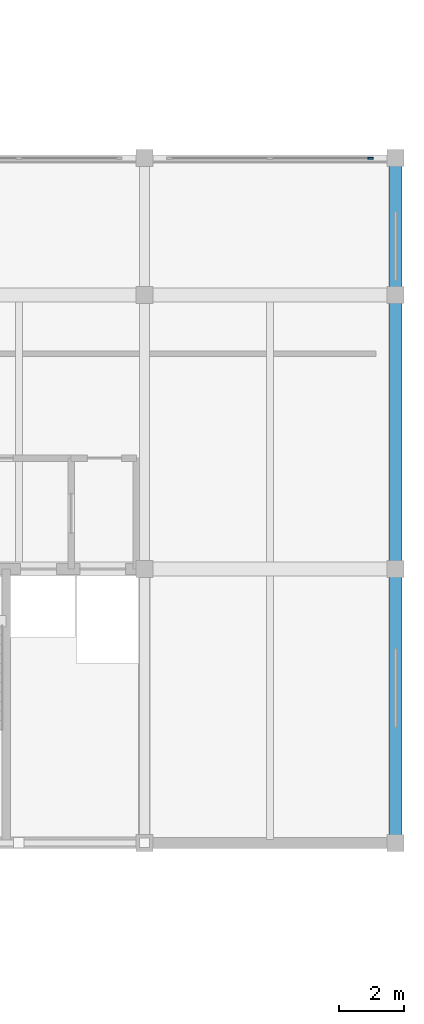
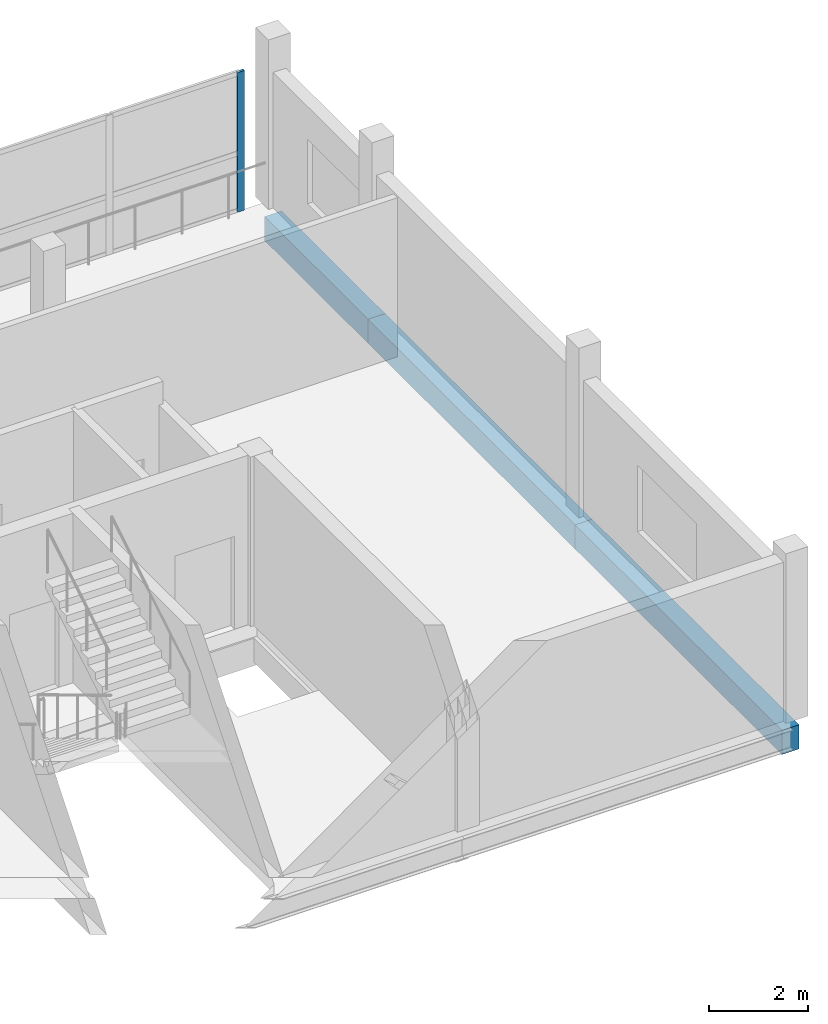
# One storey, part 31 of 53: 3 beams, 1 member, 1 element without a shape of its own.
"""IFC4 building model written with IfcOpenShell, lengths in metres."""

import ifcopenshell
import ifcopenshell.guid

model = None  # the IFC model being written
_history = None  # IfcOwnerHistory: only IFC2X3 demands one
_inside = {}  # id of a spatial element -> (the spatial element, [elements in it])
_under = {}  # id of a project, library or spatial element -> (it, [spatial elements below it])
_declared = {}  # id of a project -> (the project, [libraries it declares])
_typed = {}  # id of a type object -> (the type object, [elements of that type])
_made_of = {}  # id of a material, layer set ... -> (it, [elements and type objects made of it])


def new_model(schema):
    """Start an empty IFC model of exactly this schema.

    Asked for "IFC4X3", IfcOpenShell would pick the latest addendum, in which some entities
    have other attributes; the version numbers below select the first issue.
    IFC2X3 requires an IfcOwnerHistory on every rooted entity: one is made here for all.
    """
    global model, _history
    if schema == "IFC4X3":
        model = ifcopenshell.file(schema_version=(4, 3, 0, 0))
    else:
        model = ifcopenshell.file(schema=schema)
    _inside.clear()
    _under.clear()
    _declared.clear()
    _typed.clear()
    _made_of.clear()
    _history = None
    if model.schema == "IFC2X3":
        org = make("IfcOrganization", Name="unknown")
        user = make(
            "IfcPersonAndOrganization",
            ThePerson=make("IfcPerson", FamilyName="unknown"),
            TheOrganization=org,
        )
        app = make(
            "IfcApplication",
            ApplicationDeveloper=org,
            Version="unknown",
            ApplicationFullName="unknown",
            ApplicationIdentifier="unknown",
        )
        _history = make(
            "IfcOwnerHistory",
            OwningUser=user,
            OwningApplication=app,
            ChangeAction="ADDED",
            CreationDate=0,
        )
    return model


def make(cls, **values):
    """One entity of the class cls with the attributes given. An attribute that is None is left unset."""
    return model.create_entity(
        cls, **{name: value for name, value in values.items() if value is not None}
    )


def rooted(cls, **values):
    """An entity with a GlobalId (a new one), such as an element, a storey or a relation."""
    return make(cls, GlobalId=ifcopenshell.guid.new(), OwnerHistory=_history, **values)


def si_unit(unit_type, name, prefix=None):
    """IfcSIUnit, for example si_unit("LENGTHUNIT", "METRE", prefix="MILLI")."""
    return make("IfcSIUnit", UnitType=unit_type, Prefix=prefix, Name=name)


def assignment(units):
    """IfcUnitAssignment: the units of a project."""
    return None if units is None else make("IfcUnitAssignment", Units=units)


def point(xyz):
    """IfcCartesianPoint."""
    return None if xyz is None else make("IfcCartesianPoint", Coordinates=xyz)


def direction(xyz):
    """IfcDirection."""
    return None if xyz is None else make("IfcDirection", DirectionRatios=xyz)


def frame(location, z_axis=None, x_axis=None):
    """IfcAxis2Placement3D, a coordinate frame: its origin and axes. An axis left out is left unset."""
    return make(
        "IfcAxis2Placement3D",
        Location=point(location),
        Axis=direction(z_axis),
        RefDirection=direction(x_axis),
    )


def frame_2d(location, x_axis=None):
    """IfcAxis2Placement2D, a coordinate frame in the plane: its origin and x axis."""
    return make(
        "IfcAxis2Placement2D", Location=point(location), RefDirection=direction(x_axis)
    )


def origin():
    """The frame at (0, 0, 0) with its axes left unset."""
    return frame((0.0, 0.0, 0.0))


def origin_2d():
    """The frame at (0, 0) in the plane with its x axis left unset."""
    return frame_2d((0.0, 0.0))


def place(relative_to, where):
    """IfcLocalPlacement: puts the frame where relative to a parent placement (None: the world)."""
    return make(
        "IfcLocalPlacement", PlacementRelTo=relative_to, RelativePlacement=where
    )


def context(
    kind, dimensions, precision=None, world=None, true_north=None, identifier=None
):
    """IfcGeometricRepresentationContext, for example the 3D "Model" context."""
    return make(
        "IfcGeometricRepresentationContext",
        ContextIdentifier=identifier,
        ContextType=kind,
        CoordinateSpaceDimension=dimensions,
        Precision=precision,
        WorldCoordinateSystem=world,
        TrueNorth=true_north,
    )


def subcontext(parent, identifier, kind, view, scale=None):
    """IfcGeometricRepresentationSubContext, for example "Body" below "Model"."""
    return make(
        "IfcGeometricRepresentationSubContext",
        ContextIdentifier=identifier,
        ContextType=kind,
        ParentContext=parent,
        TargetScale=scale,
        TargetView=view,
    )


def project(units=None, contexts=None):
    """IfcProject with its units and contexts."""
    return rooted(
        "IfcProject",
        Name="project",
        RepresentationContexts=contexts,
        UnitsInContext=assignment(units),
    )


def spatial(cls, under=None, at=None, **own):
    """A site, building, storey or space (cls), placed at a placement, below another one or the project."""
    s = rooted(cls, ObjectPlacement=at, **own)
    if under is not None:
        _under.setdefault(under.id(), (under, []))[1].append(s)
    return s


def profile(cls, at=None, kind="AREA", **sizes):
    """A parametric profile (cls). Its sizes go by their IFC names, for example OverallWidth=200.0."""
    return make(cls, ProfileType=kind, Position=at, **sizes)


def rectangle(**sizes):
    """IfcRectangleProfileDef."""
    return profile("IfcRectangleProfileDef", **sizes)


def extrude(swept, where, along, depth):
    """IfcExtrudedAreaSolid: the profile swept, set in the frame where, extruded along a direction by depth."""
    return make(
        "IfcExtrudedAreaSolid",
        SweptArea=swept,
        Position=where,
        ExtrudedDirection=direction(along),
        Depth=depth,
    )


def shape(context_of_items, identifier, shape_type, items):
    """IfcShapeRepresentation: the items that make up one representation, for example the "Body"."""
    return make(
        "IfcShapeRepresentation",
        ContextOfItems=context_of_items,
        RepresentationIdentifier=identifier,
        RepresentationType=shape_type,
        Items=items,
    )


def material(Name=None, Category=None):
    """IfcMaterial."""
    return make("IfcMaterial", Name=Name, Category=Category)


def material_profile(
    of_material, cross_section, Name=None, Category=None, Priority=None
):
    """IfcMaterialProfile: a cross section and its material."""
    return make(
        "IfcMaterialProfile",
        Name=Name,
        Material=of_material,
        Profile=cross_section,
        Priority=Priority,
        Category=Category,
    )


def profile_set(profiles, Name=None, composite=None):
    """IfcMaterialProfileSet."""
    return make(
        "IfcMaterialProfileSet",
        Name=Name,
        MaterialProfiles=profiles,
        CompositeProfile=composite,
    )


def made_of(thing, what):
    """Note that an element or type object is made of a material, layer set ...; save() writes the relation."""
    if what is not None:
        _made_of.setdefault(what.id(), (what, []))[1].append(thing)
    return thing


def type_object(cls, material=None, **own):
    """A type object (cls), such as IfcWallType, which elements share."""
    return made_of(rooted(cls, **own), material)


def element(
    cls,
    number,
    at=None,
    inside=None,
    cuts=None,
    type_object=None,
    material=None,
    context=None,
    identifier="Body",
    shape_type=None,
    held_by="IfcProductDefinitionShape",
    body=None,
    shapes=None,
    **own,
):
    """One element of the class cls, such as IfcWall. Its Tag is "e" and its number.

    at: its placement. inside: the storey or other place that contains it. cuts: it is an
    opening in that element (IfcRelVoidsElement). A single representation is given by context,
    identifier, shape_type and body (its items); several are given by shapes. held_by: the class
    of the entity that holds the representations. save() writes the other relations.
    """
    e = rooted(cls, Tag="e%d" % number, ObjectPlacement=at, **own)
    if body is not None:
        shapes = [shape(context, identifier, shape_type, body)]
    if shapes is not None:
        e.Representation = make(held_by, Representations=shapes)
    if inside is not None:
        _inside.setdefault(inside.id(), (inside, []))[1].append(e)
    if cuts is not None:
        rooted(
            "IfcRelVoidsElement", RelatingBuildingElement=cuts, RelatedOpeningElement=e
        )
    if type_object is not None:
        _typed.setdefault(type_object.id(), (type_object, []))[1].append(e)
    return made_of(e, material)


def aggregate(whole, parts):
    """IfcRelAggregates: a whole, such as a stair, and the parts it consists of."""
    return rooted("IfcRelAggregates", RelatingObject=whole, RelatedObjects=parts)


def save(model, path):
    """Write the relations noted so far, then the file.

    IfcRelAggregates (storeys below a building ...), IfcRelContainedInSpatialStructure (elements
    in a storey), IfcRelDefinesByType, IfcRelAssociatesMaterial and IfcRelDeclares: one each for
    every whole, place, type object, material and project.
    """
    for whole, parts in _under.values():
        aggregate(whole, parts)
    for where, things in _inside.values():
        rooted(
            "IfcRelContainedInSpatialStructure",
            RelatedElements=things,
            RelatingStructure=where,
        )
    for kind, things in _typed.values():
        rooted("IfcRelDefinesByType", RelatedObjects=things, RelatingType=kind)
    for what, things in _made_of.values():
        rooted("IfcRelAssociatesMaterial", RelatedObjects=things, RelatingMaterial=what)
    for by, libraries in _declared.values():
        rooted("IfcRelDeclares", RelatingContext=by, RelatedDefinitions=libraries)
    model.write(path)


model = new_model("IFC4")

# Units and contexts
model_context = context("Model", 3, precision=1e-05, world=origin(), true_north=direction((0.0, 1.0)))
body_context = subcontext(model_context, "Body", "Model", "MODEL_VIEW")
ifc_project = project(units=[si_unit("LENGTHUNIT", "METRE"), si_unit("AREAUNIT", "SQUARE_METRE"), si_unit("VOLUMEUNIT", "CUBIC_METRE"), si_unit("PLANEANGLEUNIT", "RADIAN"), si_unit("MASSUNIT", "GRAM", prefix="KILO")], contexts=[model_context])

# Site, building, storey
site_placement = place(None, origin())
site = spatial("IfcSite", under=ifc_project, at=site_placement, CompositionType="ELEMENT")
building_placement = place(site_placement, origin())
building = spatial("IfcBuilding", under=site, at=building_placement, Name="Vharandega Faculty of Natural Sciences", CompositionType="ELEMENT")
storey_placement = place(building_placement, frame((0.0, 0.0, 10.199951171875)))
storey = spatial("IfcBuildingStorey", under=building, at=storey_placement, Name="L02", CompositionType="ELEMENT", Elevation=10.199951171875)

# Curtain wall, member
ifc_material_1 = material(Name="Aluminium and solar-control glass curtain wall", Category="aluminium")
curtain_wall_type = type_object("IfcCurtainWallType", Name="Unitised Curtain Wall System CW-14", PredefinedType="NOTDEFINED", material=ifc_material_1)
curtain_wall_placement = place(storey_placement, origin())
curtain_wall = element("IfcCurtainWall", 1, at=curtain_wall_placement, inside=storey, type_object=curtain_wall_type, Name="Curtain Wall CW-L02-013", PredefinedType="NOTDEFINED")
ifc_material_2 = material(Name="Thermally broken aluminium 6063-T6", Category="aluminium")
ifc_material_profile_1 = material_profile(ifc_material_2, rectangle(XDim=0.06005859375, YDim=0.159912109375, at=origin_2d()), Name="ALU 60x160")
ifc_profile_set_1 = profile_set([ifc_material_profile_1], Name="Thermally broken aluminium 6063-T6")
member_type = type_object("IfcMemberType", Name="CW Mullion 60x160", PredefinedType="MULLION", material=ifc_profile_set_1)
member_placement = place(storey_placement, frame((160.6298828125, 85.0, 0.0), z_axis=(0.0, 0.0, 1.0), x_axis=(0.0, 1.0, 0.0)))
member = element("IfcMember", 2, at=member_placement, type_object=member_type, Name="CW-14 mullion 3", PredefinedType="MULLION", context=body_context, shape_type="SweptSolid", body=[
    extrude(rectangle(XDim=0.06005859375, YDim=0.159912109375, at=origin_2d()), origin(), (0.0, 0.0, 1.0), 3.4599609375),
])
aggregate(curtain_wall, [member])

# Beams
ifc_material_3 = material(Name="Glulam GL32h", Category="wood")
ifc_material_profile_2 = material_profile(ifc_material_3, rectangle(XDim=0.39990234375, YDim=0.60009765625, at=origin_2d()), Name="GL32h 400x600")
ifc_profile_set_2 = profile_set([ifc_material_profile_2], Name="Glulam GL32h")
beam_type = type_object("IfcBeamType", Name="Glulam Spine Girder 400x600", PredefinedType="BEAM", material=ifc_profile_set_2)
beam_1_placement = place(storey_placement, frame((161.39990234375, 64.0, -0.64990234375), z_axis=(0.0, 1.0, 0.0), x_axis=(-1.0, 0.0, 0.0)))
element("IfcBeam", 3, at=beam_1_placement, inside=storey, type_object=beam_type, Name="Beam L02 21/J-K", PredefinedType="BEAM", context=body_context, shape_type="SweptSolid", body=[
    extrude(rectangle(XDim=0.39990234375, YDim=0.60009765625, at=origin_2d()), origin(), (0.0, 0.0, 1.0), 8.39990234375),
])
beam_2_placement = place(storey_placement, frame((161.39990234375, 72.39990234375, -0.64990234375), z_axis=(0.0, 1.0, 0.0), x_axis=(-1.0, 0.0, 0.0)))
element("IfcBeam", 4, at=beam_2_placement, inside=storey, type_object=beam_type, Name="Beam L02 21/K-L", PredefinedType="BEAM", context=body_context, shape_type="SweptSolid", body=[
    extrude(rectangle(XDim=0.39990234375, YDim=0.60009765625, at=origin_2d()), origin(), (0.0, 0.0, 1.0), 8.400146484375),
])
beam_3_placement = place(storey_placement, frame((161.39990234375, 80.800048828125, -0.64990234375), z_axis=(0.0, 1.0, 0.0), x_axis=(-1.0, 0.0, 0.0)))
element("IfcBeam", 5, at=beam_3_placement, inside=storey, type_object=beam_type, Name="Beam L02 21/L-M", PredefinedType="BEAM", context=body_context, shape_type="SweptSolid", body=[
    extrude(rectangle(XDim=0.39990234375, YDim=0.60009765625, at=origin_2d()), origin(), (0.0, 0.0, 1.0), 4.199951171875),
])

save(model, "model.ifc")
